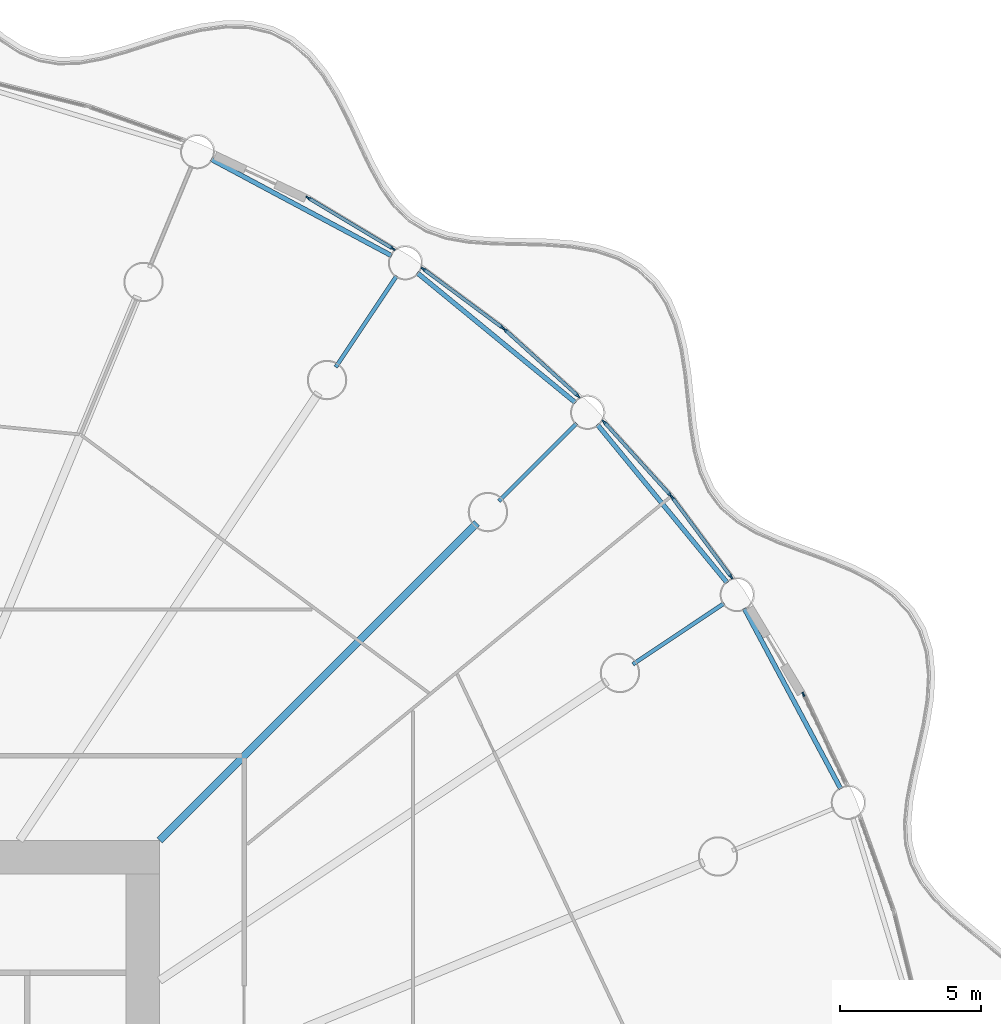
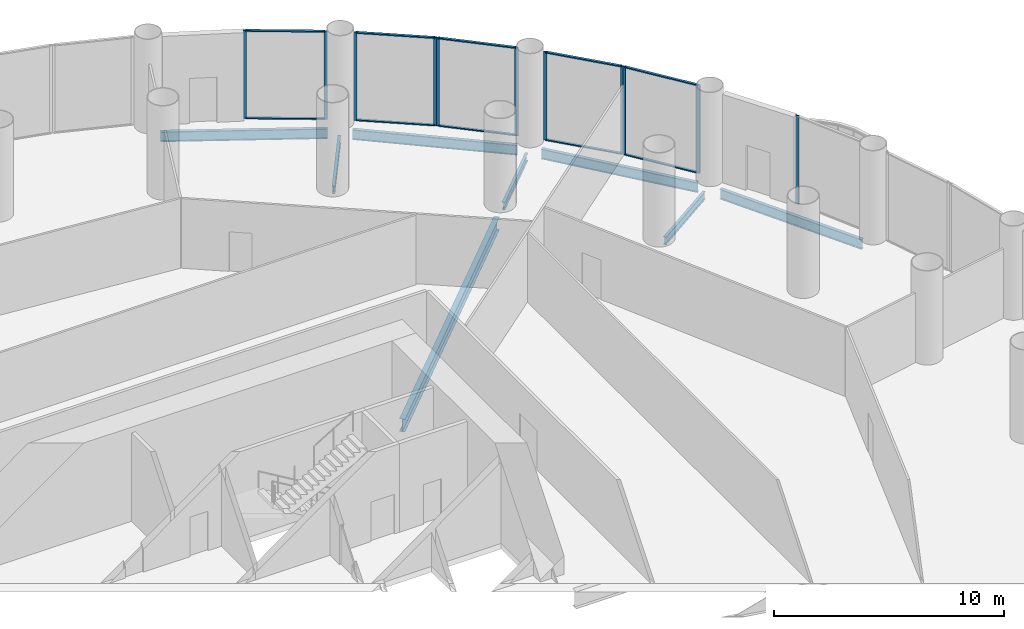
# One storey, part 18 of 35: 21 members, 8 beams, 6 elements without a shape of their own.
"""IFC4 building model written with IfcOpenShell, lengths in metres."""

from ifc_helpers import new_model, si_unit, direction, frame, origin, origin_2d, place, context, subcontext, project, spatial, rectangle, i_section, extrude, material, material_profile, profile_set, type_object, element, aggregate, save


model = new_model("IFC4")

# Units and contexts
model_context = context("Model", 3, precision=1e-05, world=origin(), true_north=direction((0.0, 1.0)))
body_context = subcontext(model_context, "Body", "Model", "MODEL_VIEW")
ifc_project = project(units=[si_unit("LENGTHUNIT", "METRE"), si_unit("AREAUNIT", "SQUARE_METRE"), si_unit("VOLUMEUNIT", "CUBIC_METRE"), si_unit("PLANEANGLEUNIT", "RADIAN"), si_unit("MASSUNIT", "GRAM", prefix="KILO")], contexts=[model_context])

# Site, building, storey
site_placement = place(None, origin())
site = spatial("IfcSite", under=ifc_project, at=site_placement, CompositionType="ELEMENT")
building_placement = place(site_placement, origin())
building = spatial("IfcBuilding", under=site, at=building_placement, Name="Corvane Civic Tower", CompositionType="ELEMENT")
storey_placement = place(building_placement, frame((0.0, 0.0, 22.0)))
storey = spatial("IfcBuildingStorey", under=building, at=storey_placement, Name="L04", CompositionType="ELEMENT", Elevation=22.0)

# Beams
ifc_material_1 = material(Name="Steel ASTM A992 Gr 50", Category="steel")
ifc_material_profile_1 = material_profile(ifc_material_1, i_section(OverallWidth=0.165771484375, OverallDepth=0.5283203125, WebThickness=0.009765625, FlangeThickness=0.013671875, at=origin_2d()), Name="W21X50")
ifc_profile_set_1 = profile_set([ifc_material_profile_1], Name="Steel ASTM A992 Gr 50")
beam_type_1 = type_object("IfcBeamType", Name="EDGE BEAM W21X50", PredefinedType="BEAM", material=ifc_profile_set_1)
for number, where, z_axis, x_axis, name in (
    (1, (16.82568359375, 39.1904296875, -0.564208984375), (0.881912894916, -0.471412394598, 0.0), (0.471412394598, 0.881912894916, 0.0), "BM-L04-E03"),
    (2, (24.14794921875, 35.15478515625, -0.564208984375), (0.773007924807, -0.634396365205, 0.0), (0.634396365205, 0.773007924807, 0.0), "BM-L04-E04"),
    (3, (30.542236328125, 29.768310546875, -0.564208984375), (0.634396365205, -0.773007924807, 0.0), (0.773007924807, 0.634396365205, 0.0), "BM-L04-E05"),
    (4, (35.762939453125, 23.23779296875, -0.564208984375), (0.471412394598, -0.881912894916, 0.0), (0.881912894916, 0.471412394598, 0.0), "BM-L04-E06"),
):
    element("IfcBeam", number, at=place(storey_placement, frame(where, z_axis=z_axis, x_axis=x_axis)), inside=storey, type_object=beam_type_1, Name=name, PredefinedType="BEAM", context=body_context, shape_type="SweptSolid", body=[
        extrude(i_section(OverallWidth=0.165771484375, OverallDepth=0.5283203125, WebThickness=0.009765625, FlangeThickness=0.013671875, at=origin_2d()), origin(), (0.0, 0.0, 1.0), 7.270751953125),
    ])
ifc_material_2 = material(Name="Steel ASTM A992 Gr 50", Category="steel")
ifc_material_profile_2 = material_profile(ifc_material_2, i_section(OverallWidth=0.140380859375, OverallDepth=0.40380859375, WebThickness=0.007080078125, FlangeThickness=0.01123046875, at=origin_2d()), Name="W16X31")
ifc_profile_set_2 = profile_set([ifc_material_profile_2], Name="Steel ASTM A992 Gr 50")
beam_type_2 = type_object("IfcBeamType", Name="FLOOR GIRDER W16X31", PredefinedType="BEAM", material=ifc_profile_set_2)
for number, where, z_axis, x_axis, name in (
    (5, (21.25048828125, 31.8037109375, -0.501953125), (0.555581110199, 0.831462344301, 0.0), (-0.831462344301, 0.555581110199, 0.0), "BM-L04-G04b"),
    (6, (27.046875, 27.046875, -0.501953125), (0.707106781187, 0.707106781187, 0.0), (-0.707106781187, 0.707106781187, 0.0), "BM-L04-G05b"),
    (7, (31.8037109375, 21.25048828125, -0.501953125), (0.831462344301, 0.555581110199, 0.0), (-0.555581110199, 0.831462344301, 0.0), "BM-L04-G06b"),
):
    element("IfcBeam", number, at=place(storey_placement, frame(where, z_axis=z_axis, x_axis=x_axis)), inside=storey, type_object=beam_type_2, Name=name, PredefinedType="BEAM", context=body_context, shape_type="SweptSolid", body=[
        extrude(i_section(OverallWidth=0.140380859375, OverallDepth=0.40380859375, WebThickness=0.007080078125, FlangeThickness=0.01123046875, at=origin_2d()), origin(), (0.0, 0.0, 1.0), 3.89990234375),
    ])
ifc_material_3 = material(Name="Steel ASTM A992 Gr 50", Category="steel")
ifc_material_profile_3 = material_profile(ifc_material_3, i_section(OverallWidth=0.25390625, OverallDepth=0.67822265625, WebThickness=0.01171875, FlangeThickness=0.016357421875, at=origin_2d()), Name="W27X84")
ifc_profile_set_3 = profile_set([ifc_material_profile_3], Name="Steel ASTM A992 Gr 50")
beam_type_3 = type_object("IfcBeamType", Name="FLOOR GIRDER W27X84", PredefinedType="BEAM", material=ifc_profile_set_3)
beam_placement = place(storey_placement, frame((15.0, 15.0, -0.63916015625), z_axis=(0.707106781187, 0.707106781187, 0.0), x_axis=(-0.707106781187, 0.707106781187, 0.0)))
element("IfcBeam", 8, at=beam_placement, inside=storey, type_object=beam_type_3, Name="BM-L04-G05", PredefinedType="BEAM", context=body_context, shape_type="SweptSolid", body=[
    extrude(i_section(OverallWidth=0.25390625, OverallDepth=0.67822265625, WebThickness=0.01171875, FlangeThickness=0.016357421875, at=origin_2d()), origin(), (0.0, 0.0, 1.0), 15.936767578125),
])

# Curtain wall, members
ifc_material_4 = material(Name="Aluminium and glass", Category="aluminium")
curtain_wall_type = type_object("IfcCurtainWallType", Name="PODIUM-CW-P-RUN", PredefinedType="NOTDEFINED", material=ifc_material_4)
curtain_wall_1_placement = place(storey_placement, origin())
curtain_wall_1 = element("IfcCurtainWall", 9, at=curtain_wall_1_placement, inside=storey, type_object=curtain_wall_type, Name="PODI run L04-drum-03B", PredefinedType="NOTDEFINED")
ifc_material_5 = material(Name="Anodised aluminium bronze", Category="aluminium")
ifc_material_profile_4 = material_profile(ifc_material_5, rectangle(XDim=0.06005859375, YDim=0.159912109375, at=origin_2d()), Name="AL 60x160")
ifc_profile_set_4 = profile_set([ifc_material_profile_4], Name="Anodised aluminium bronze")
member_type_1 = type_object("IfcMemberType", Name="PODIUM-CWP-MULLION-60x160", PredefinedType="MULLION", material=ifc_profile_set_4)
member_1_placement = place(storey_placement, frame((20.2666015625, 37.819580078125, 0.0), z_axis=(0.0, 0.0, 1.0), x_axis=(0.514117759857, 0.857719609779, 0.0)))
member_1 = element("IfcMember", 10, at=member_1_placement, type_object=member_type_1, Name="CW-P mullion 1", PredefinedType="MULLION", context=body_context, shape_type="SweptSolid", body=[
    extrude(rectangle(XDim=0.06005859375, YDim=0.159912109375, at=origin_2d()), origin(), (0.0, 0.0, 1.0), 4.699951171875),
])
member_2_placement = place(storey_placement, frame((23.28564453125, 36.010009765625, 0.0), z_axis=(0.0, 0.0, 1.0), x_axis=(0.514117759857, 0.857719609779, 0.0)))
member_2 = element("IfcMember", 11, at=member_2_placement, type_object=member_type_1, Name="CW-P mullion 2", PredefinedType="MULLION", context=body_context, shape_type="SweptSolid", body=[
    extrude(rectangle(XDim=0.06005859375, YDim=0.159912109375, at=origin_2d()), origin(), (0.0, 0.0, 1.0), 4.699951171875),
])

curtain_wall_2_placement = place(storey_placement, origin())
curtain_wall_2 = element("IfcCurtainWall", 12, at=curtain_wall_2_placement, inside=storey, type_object=curtain_wall_type, Name="PODI run L04-drum-04A", PredefinedType="NOTDEFINED")
member_3_placement = place(storey_placement, frame((24.35791015625, 35.293701171875, 0.0), z_axis=(0.0, 0.0, 1.0), x_axis=(0.595705104665, 0.803203229747, 0.0)))
member_3 = element("IfcMember", 13, at=member_3_placement, type_object=member_type_1, Name="CW-P mullion 1", PredefinedType="MULLION", context=body_context, shape_type="SweptSolid", body=[
    extrude(rectangle(XDim=0.06005859375, YDim=0.159912109375, at=origin_2d()), origin(), (0.0, 0.0, 1.0), 4.699951171875),
])
member_4_placement = place(storey_placement, frame((27.18505859375, 33.197021484375, 0.0), z_axis=(0.0, 0.0, 1.0), x_axis=(0.595705104665, 0.803203229747, 0.0)))
member_4 = element("IfcMember", 14, at=member_4_placement, type_object=member_type_1, Name="CW-P mullion 2", PredefinedType="MULLION", context=body_context, shape_type="SweptSolid", body=[
    extrude(rectangle(XDim=0.06005859375, YDim=0.159912109375, at=origin_2d()), origin(), (0.0, 0.0, 1.0), 4.699951171875),
])

curtain_wall_3_placement = place(storey_placement, origin())
curtain_wall_3 = element("IfcCurtainWall", 15, at=curtain_wall_3_placement, inside=storey, type_object=curtain_wall_type, Name="PODI run L04-drum-04B", PredefinedType="NOTDEFINED")
member_5_placement = place(storey_placement, frame((27.25537109375, 33.13916015625, 0.0), z_axis=(0.0, 0.0, 1.0), x_axis=(0.671576457952, 0.740935261089, 0.0)))
member_5 = element("IfcMember", 16, at=member_5_placement, type_object=member_type_1, Name="CW-P mullion 1", PredefinedType="MULLION", context=body_context, shape_type="SweptSolid", body=[
    extrude(rectangle(XDim=0.06005859375, YDim=0.159912109375, at=origin_2d()), origin(), (0.0, 0.0, 1.0), 4.699951171875),
])
member_6_placement = place(storey_placement, frame((29.863525390625, 30.775390625, 0.0), z_axis=(0.0, 0.0, 1.0), x_axis=(0.671576457952, 0.740935261089, 0.0)))
member_6 = element("IfcMember", 17, at=member_6_placement, type_object=member_type_1, Name="CW-P mullion 2", PredefinedType="MULLION", context=body_context, shape_type="SweptSolid", body=[
    extrude(rectangle(XDim=0.06005859375, YDim=0.159912109375, at=origin_2d()), origin(), (0.0, 0.0, 1.0), 4.699951171875),
])

curtain_wall_4_placement = place(storey_placement, origin())
curtain_wall_4 = element("IfcCurtainWall", 18, at=curtain_wall_4_placement, inside=storey, type_object=curtain_wall_type, Name="PODI run L04-drum-05A", PredefinedType="NOTDEFINED")
member_7_placement = place(storey_placement, frame((30.775390625, 29.863525390625, 0.0), z_axis=(0.0, 0.0, 1.0), x_axis=(0.740935261089, 0.671576457952, 0.0)))
member_7 = element("IfcMember", 19, at=member_7_placement, type_object=member_type_1, Name="CW-P mullion 1", PredefinedType="MULLION", context=body_context, shape_type="SweptSolid", body=[
    extrude(rectangle(XDim=0.06005859375, YDim=0.159912109375, at=origin_2d()), origin(), (0.0, 0.0, 1.0), 4.699951171875),
])
member_8_placement = place(storey_placement, frame((33.13916015625, 27.25537109375, 0.0), z_axis=(0.0, 0.0, 1.0), x_axis=(0.740935261089, 0.671576457952, 0.0)))
member_8 = element("IfcMember", 20, at=member_8_placement, type_object=member_type_1, Name="CW-P mullion 2", PredefinedType="MULLION", context=body_context, shape_type="SweptSolid", body=[
    extrude(rectangle(XDim=0.06005859375, YDim=0.159912109375, at=origin_2d()), origin(), (0.0, 0.0, 1.0), 4.699951171875),
])

curtain_wall_5_placement = place(storey_placement, origin())
curtain_wall_5 = element("IfcCurtainWall", 21, at=curtain_wall_5_placement, inside=storey, type_object=curtain_wall_type, Name="PODI run L04-drum-05B", PredefinedType="NOTDEFINED")
member_9_placement = place(storey_placement, frame((33.197021484375, 27.18505859375, 0.0), z_axis=(0.0, 0.0, 1.0), x_axis=(0.803203229747, 0.595705104665, 0.0)))
member_9 = element("IfcMember", 22, at=member_9_placement, type_object=member_type_1, Name="CW-P mullion 1", PredefinedType="MULLION", context=body_context, shape_type="SweptSolid", body=[
    extrude(rectangle(XDim=0.06005859375, YDim=0.159912109375, at=origin_2d()), origin(), (0.0, 0.0, 1.0), 4.699951171875),
])
member_10_placement = place(storey_placement, frame((35.293701171875, 24.35791015625, 0.0), z_axis=(0.0, 0.0, 1.0), x_axis=(0.803203229747, 0.595705104665, 0.0)))
member_10 = element("IfcMember", 23, at=member_10_placement, type_object=member_type_1, Name="CW-P mullion 2", PredefinedType="MULLION", context=body_context, shape_type="SweptSolid", body=[
    extrude(rectangle(XDim=0.06005859375, YDim=0.159912109375, at=origin_2d()), origin(), (0.0, 0.0, 1.0), 4.699951171875),
])

# Curtain wall, member
curtain_wall_6_placement = place(storey_placement, origin())
curtain_wall_6 = element("IfcCurtainWall", 24, at=curtain_wall_6_placement, inside=storey, type_object=curtain_wall_type, Name="PODI run L04-drum-06B", PredefinedType="NOTDEFINED")
member_11_placement = place(storey_placement, frame((37.862548828125, 20.186279296875, 0.0), z_axis=(0.0, 0.0, 1.0), x_axis=(0.903990222454, 0.42755312852, 0.0)))
member_11 = element("IfcMember", 25, at=member_11_placement, type_object=member_type_1, Name="CW-P mullion 1", PredefinedType="MULLION", context=body_context, shape_type="SweptSolid", body=[
    extrude(rectangle(XDim=0.06005859375, YDim=0.159912109375, at=origin_2d()), origin(), (0.0, 0.0, 1.0), 4.699951171875),
])
aggregate(curtain_wall_6, [member_11])

# Member
ifc_material_6 = material(Name="Anodised aluminium bronze", Category="aluminium")
ifc_material_profile_5 = material_profile(ifc_material_6, rectangle(XDim=0.1201171875, YDim=0.06005859375, at=origin_2d()), Name="AL 120x60")
ifc_profile_set_5 = profile_set([ifc_material_profile_5], Name="Anodised aluminium bronze")
member_type_2 = type_object("IfcMemberType", Name="PODIUM-CWP-TRANSOM-60x120", PredefinedType="USERDEFINED", material=ifc_profile_set_5)
member_12_placement = place(storey_placement, frame((20.29248046875, 37.80419921875, 0.030029296875), z_axis=(0.857723234181, -0.514111713099, 0.0), x_axis=(0.514111713099, 0.857723234181, 0.0)))
member_12 = element("IfcMember", 26, at=member_12_placement, type_object=member_type_2, Name="CW-P transom 1.1", ObjectType="TRANSOM", PredefinedType="USERDEFINED", context=body_context, shape_type="SweptSolid", body=[
    extrude(rectangle(XDim=0.1201171875, YDim=0.06005859375, at=origin_2d()), origin(), (0.0, 0.0, 1.0), 3.45947265625),
])

member_13_placement = place(storey_placement, frame((20.29248046875, 37.80419921875, 4.669921875), z_axis=(0.857723234181, -0.514111713099, 0.0), x_axis=(0.514111713099, 0.857723234181, 0.0)))
member_13 = element("IfcMember", 27, at=member_13_placement, type_object=member_type_2, Name="CW-P transom 1.2", ObjectType="TRANSOM", PredefinedType="USERDEFINED", context=body_context, shape_type="SweptSolid", body=[
    extrude(rectangle(XDim=0.1201171875, YDim=0.06005859375, at=origin_2d()), origin(), (0.0, 0.0, 1.0), 3.45947265625),
])

aggregate(curtain_wall_1, [member_1, member_2, member_12, member_13])

member_14_placement = place(storey_placement, frame((24.382080078125, 35.27587890625, 0.030029296875), z_axis=(0.803189518598, -0.595723591285, 0.0), x_axis=(0.595723591285, 0.803189518598, 0.0)))
member_14 = element("IfcMember", 28, at=member_14_placement, type_object=member_type_2, Name="CW-P transom 1.1", ObjectType="TRANSOM", PredefinedType="USERDEFINED", context=body_context, shape_type="SweptSolid", body=[
    extrude(rectangle(XDim=0.1201171875, YDim=0.06005859375, at=origin_2d()), origin(), (0.0, 0.0, 1.0), 3.459716796875),
])

member_15_placement = place(storey_placement, frame((24.382080078125, 35.27587890625, 4.669921875), z_axis=(0.803189518598, -0.595723591285, 0.0), x_axis=(0.595723591285, 0.803189518598, 0.0)))
member_15 = element("IfcMember", 29, at=member_15_placement, type_object=member_type_2, Name="CW-P transom 1.2", ObjectType="TRANSOM", PredefinedType="USERDEFINED", context=body_context, shape_type="SweptSolid", body=[
    extrude(rectangle(XDim=0.1201171875, YDim=0.06005859375, at=origin_2d()), origin(), (0.0, 0.0, 1.0), 3.459716796875),
])

aggregate(curtain_wall_2, [member_3, member_4, member_14, member_15])

member_16_placement = place(storey_placement, frame((27.277587890625, 33.119140625, 0.030029296875), z_axis=(0.740935382865, -0.671576323599, 0.0), x_axis=(0.671576323599, 0.740935382865, 0.0)))
member_16 = element("IfcMember", 30, at=member_16_placement, type_object=member_type_2, Name="CW-P transom 1.1", ObjectType="TRANSOM", PredefinedType="USERDEFINED", context=body_context, shape_type="SweptSolid", body=[
    extrude(rectangle(XDim=0.1201171875, YDim=0.06005859375, at=origin_2d()), origin(), (0.0, 0.0, 1.0), 3.460205078125),
])

member_17_placement = place(storey_placement, frame((27.277587890625, 33.119140625, 4.669921875), z_axis=(0.740935382865, -0.671576323599, 0.0), x_axis=(0.671576323599, 0.740935382865, 0.0)))
member_17 = element("IfcMember", 31, at=member_17_placement, type_object=member_type_2, Name="CW-P transom 1.2", ObjectType="TRANSOM", PredefinedType="USERDEFINED", context=body_context, shape_type="SweptSolid", body=[
    extrude(rectangle(XDim=0.1201171875, YDim=0.06005859375, at=origin_2d()), origin(), (0.0, 0.0, 1.0), 3.460205078125),
])

aggregate(curtain_wall_3, [member_5, member_6, member_16, member_17])

member_18_placement = place(storey_placement, frame((30.79541015625, 29.84130859375, 0.030029296875), z_axis=(0.671576323599, -0.740935382865, 0.0), x_axis=(0.740935382865, 0.671576323599, 0.0)))
member_18 = element("IfcMember", 32, at=member_18_placement, type_object=member_type_2, Name="CW-P transom 1.1", ObjectType="TRANSOM", PredefinedType="USERDEFINED", context=body_context, shape_type="SweptSolid", body=[
    extrude(rectangle(XDim=0.1201171875, YDim=0.06005859375, at=origin_2d()), origin(), (0.0, 0.0, 1.0), 3.460205078125),
])

member_19_placement = place(storey_placement, frame((30.79541015625, 29.84130859375, 4.669921875), z_axis=(0.671576323599, -0.740935382865, 0.0), x_axis=(0.740935382865, 0.671576323599, 0.0)))
member_19 = element("IfcMember", 33, at=member_19_placement, type_object=member_type_2, Name="CW-P transom 1.2", ObjectType="TRANSOM", PredefinedType="USERDEFINED", context=body_context, shape_type="SweptSolid", body=[
    extrude(rectangle(XDim=0.1201171875, YDim=0.06005859375, at=origin_2d()), origin(), (0.0, 0.0, 1.0), 3.460205078125),
])

aggregate(curtain_wall_4, [member_7, member_8, member_18, member_19])

member_20_placement = place(storey_placement, frame((33.21484375, 27.160888671875, 0.030029296875), z_axis=(0.595723591285, -0.803189518598, 0.0), x_axis=(0.803189518598, 0.595723591285, 0.0)))
member_20 = element("IfcMember", 34, at=member_20_placement, type_object=member_type_2, Name="CW-P transom 1.1", ObjectType="TRANSOM", PredefinedType="USERDEFINED", context=body_context, shape_type="SweptSolid", body=[
    extrude(rectangle(XDim=0.1201171875, YDim=0.06005859375, at=origin_2d()), origin(), (0.0, 0.0, 1.0), 3.459716796875),
])

member_21_placement = place(storey_placement, frame((33.21484375, 27.160888671875, 4.669921875), z_axis=(0.595723591285, -0.803189518598, 0.0), x_axis=(0.803189518598, 0.595723591285, 0.0)))
member_21 = element("IfcMember", 35, at=member_21_placement, type_object=member_type_2, Name="CW-P transom 1.2", ObjectType="TRANSOM", PredefinedType="USERDEFINED", context=body_context, shape_type="SweptSolid", body=[
    extrude(rectangle(XDim=0.1201171875, YDim=0.06005859375, at=origin_2d()), origin(), (0.0, 0.0, 1.0), 3.459716796875),
])

aggregate(curtain_wall_5, [member_9, member_10, member_20, member_21])

save(model, "model.ifc")
